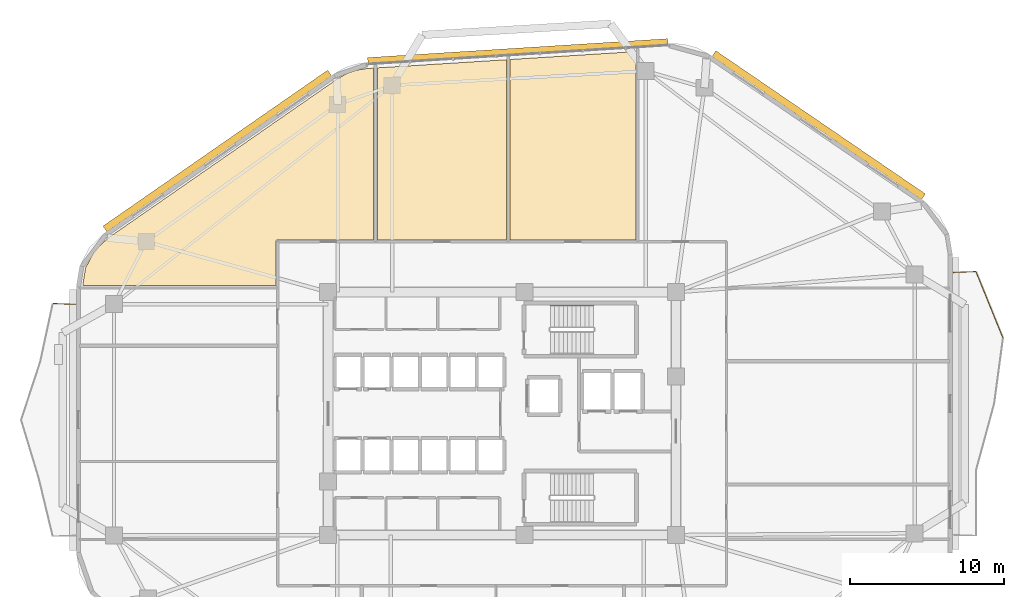
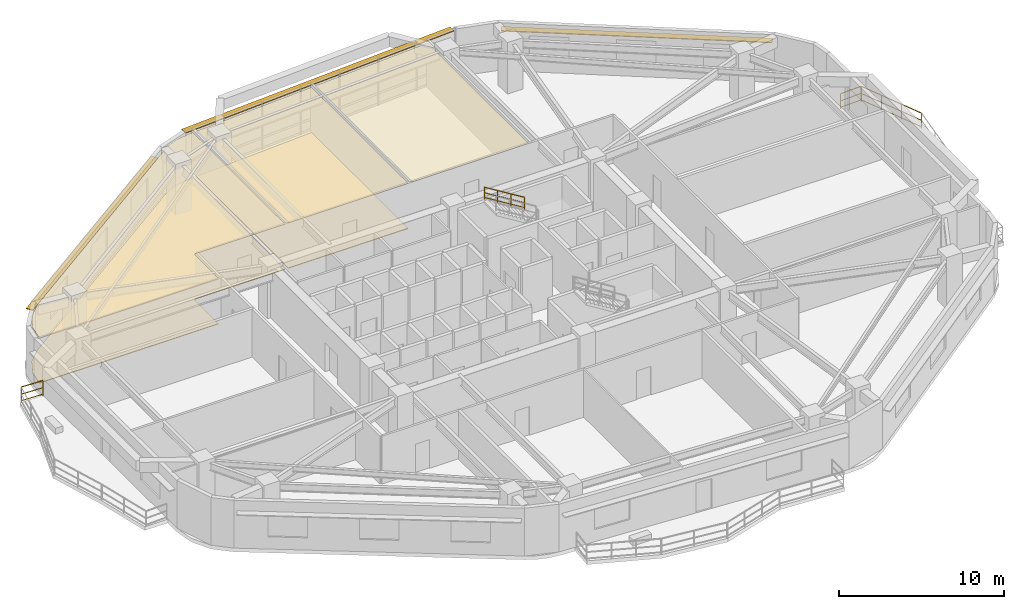
# One storey, part 13 of 13: 5 coverings, 4 railings, 3 shading devices.
"""IFC4 building model written with IfcOpenShell, lengths in metres."""

from ifc_helpers import new_model, si_unit, direction, frame, origin, origin_2d, place, context, subcontext, project, spatial, polyline, rectangle, outline, extrude, material, layer, layer_set, type_object, element, save


model = new_model("IFC4")

# Units and contexts
model_context = context("Model", 3, precision=1e-05, world=origin(), true_north=direction((0.0, 1.0)))
body_context = subcontext(model_context, "Body", "Model", "MODEL_VIEW")
ifc_project = project(units=[si_unit("LENGTHUNIT", "METRE"), si_unit("AREAUNIT", "SQUARE_METRE"), si_unit("VOLUMEUNIT", "CUBIC_METRE"), si_unit("PLANEANGLEUNIT", "RADIAN"), si_unit("MASSUNIT", "GRAM", prefix="KILO")], contexts=[model_context])

# Site, building, storey
site_placement = place(None, origin())
site = spatial("IfcSite", under=ifc_project, at=site_placement, CompositionType="ELEMENT")
building_placement = place(site_placement, origin())
building = spatial("IfcBuilding", under=site, at=building_placement, Name="Zulverin Broadcast Headquarters", CompositionType="ELEMENT")
storey_placement = place(building_placement, frame((0.0, 0.0, 101.0)))
storey = spatial("IfcBuildingStorey", under=building, at=storey_placement, Name="L25", CompositionType="ELEMENT", Elevation=101.0)

# Coverings
ifc_material_1 = material(Name="Perforated pale-metal acoustic baffle ceiling", Category="aluminium")
ifc_layer_1 = layer(ifc_material_1, 0.0400390625, Name="Perforated pale-metal acoustic baffle ceiling", Category="aluminium")
ifc_layer_set_1 = layer_set([ifc_layer_1], Name="Perforated pale-metal acoustic baffle ceiling")
covering_type_1 = type_object("IfcCoveringType", Name="COV-CEIL-ACOU", PredefinedType="CEILING", material=ifc_layer_set_1)
covering_1_placement = place(storey_placement, frame((0.0, 0.0, 3.344970703125)))
element("IfcCovering", 1, at=covering_1_placement, inside=storey, type_object=covering_type_1, Name="L25 Acoustic Baffle Ceiling 01", PredefinedType="CEILING", context=body_context, shape_type="SweptSolid", body=[
    extrude(outline(polyline([(11.4599609375, 36.583984375), (10.56005859375, 35.719970703125), (10.0, 34.639892578125), (9.81591796875, 33.5), (22.33203125, 33.5), (22.33203125, 36.35205078125), (22.33203125, 36.364013671875), (22.3359375, 36.3759765625), (22.3359375, 36.387939453125), (22.340087890625, 36.39599609375), (22.347900390625, 36.407958984375), (22.35205078125, 36.419921875), (22.360107421875, 36.427978515625), (22.367919921875, 36.43603515625), (22.3759765625, 36.444091796875), (22.384033203125, 36.451904296875), (22.39599609375, 36.4560546875), (22.407958984375, 36.464111328125), (22.416015625, 36.468017578125), (22.427978515625, 36.468017578125), (22.43994140625, 36.471923828125), (22.451904296875, 36.471923828125), (28.679931640625, 36.471923828125), (28.679931640625, 47.60009765625), (28.27587890625, 47.575927734375), (27.575927734375, 47.468017578125), (26.927978515625, 47.243896484375), (26.31591796875, 46.89599609375), (11.4599609375, 36.583984375)])), origin(), (0.0, 0.0, 1.0), 0.0400390625),
])
covering_2_placement = place(storey_placement, frame((0.0, 0.0, 3.344970703125)))
element("IfcCovering", 2, at=covering_2_placement, inside=storey, type_object=covering_type_1, Name="L25 Acoustic Baffle Ceiling 02", PredefinedType="CEILING", context=body_context, shape_type="SweptSolid", body=[
    extrude(outline(polyline([(37.280029296875, 36.471923828125), (37.280029296875, 48.14404296875), (28.919921875, 47.615966796875), (28.919921875, 36.471923828125), (37.280029296875, 36.471923828125)])), origin(), (0.0, 0.0, 1.0), 0.0400390625),
])
covering_3_placement = place(storey_placement, frame((0.0, 0.0, 3.344970703125)))
element("IfcCovering", 3, at=covering_3_placement, inside=storey, type_object=covering_type_1, Name="L25 Acoustic Baffle Ceiling 03", PredefinedType="CEILING", context=body_context, shape_type="SweptSolid", body=[
    extrude(outline(polyline([(45.679931640625, 36.471923828125), (45.679931640625, 48.672119140625), (37.52001953125, 48.159912109375), (37.52001953125, 36.471923828125), (45.679931640625, 36.471923828125)])), origin(), (0.0, 0.0, 1.0), 0.0400390625),
])
ifc_material_2 = material(Name="Anti-static broadcast raised access flooring", Category="stone")
ifc_layer_2 = layer(ifc_material_2, 0.050048828125, Name="Anti-static broadcast raised access flooring", Category="stone")
ifc_layer_set_2 = layer_set([ifc_layer_2], Name="Anti-static broadcast raised access flooring")
covering_type_2 = type_object("IfcCoveringType", Name="COV-FLR-RAISED", PredefinedType="FLOORING", material=ifc_layer_set_2)
covering_4_placement = place(storey_placement, origin())
element("IfcCovering", 4, at=covering_4_placement, inside=storey, type_object=covering_type_2, Name="L25 Broadcast Raised Access Flooring 01", PredefinedType="FLOORING", context=body_context, shape_type="SweptSolid", body=[
    extrude(outline(polyline([(11.4599609375, 36.583984375), (10.56005859375, 35.719970703125), (10.0, 34.639892578125), (9.81591796875, 33.5), (22.33203125, 33.5), (22.33203125, 36.35205078125), (22.33203125, 36.364013671875), (22.3359375, 36.3759765625), (22.3359375, 36.387939453125), (22.340087890625, 36.39599609375), (22.347900390625, 36.407958984375), (22.35205078125, 36.419921875), (22.360107421875, 36.427978515625), (22.367919921875, 36.43603515625), (22.3759765625, 36.444091796875), (22.384033203125, 36.451904296875), (22.39599609375, 36.4560546875), (22.407958984375, 36.464111328125), (22.416015625, 36.468017578125), (22.427978515625, 36.468017578125), (22.43994140625, 36.471923828125), (22.451904296875, 36.471923828125), (28.679931640625, 36.471923828125), (28.679931640625, 47.60009765625), (28.27587890625, 47.575927734375), (27.575927734375, 47.468017578125), (26.927978515625, 47.243896484375), (26.31591796875, 46.89599609375), (11.4599609375, 36.583984375)])), origin(), (0.0, 0.0, 1.0), 0.050048828125),
])
covering_5_placement = place(storey_placement, origin())
element("IfcCovering", 5, at=covering_5_placement, inside=storey, type_object=covering_type_2, Name="L25 Broadcast Raised Access Flooring 02", PredefinedType="FLOORING", context=body_context, shape_type="SweptSolid", body=[
    extrude(outline(polyline([(37.280029296875, 36.471923828125), (37.280029296875, 48.14404296875), (28.919921875, 47.615966796875), (28.919921875, 36.471923828125), (37.280029296875, 36.471923828125)])), origin(), (0.0, 0.0, 1.0), 0.050048828125),
])

# Railings
ifc_material_3 = material(Name="Brushed stainless steel & laminated glass balustrade", Category="steel")
railing_type_1 = type_object("IfcRailingType", Name="RL-GUARD-1150", PredefinedType="GUARDRAIL", material=ifc_material_3)
railing_1_placement = place(storey_placement, frame((69.45458984375, 30.1455078125, 0.0)))
element("IfcRailing", 6, at=railing_1_placement, inside=storey, type_object=railing_type_1, Name="L25 Vertical-Forest Balcony Guardrail BAL_E Segment 05", PredefinedType="GUARDRAIL", context=body_context, shape_type="SweptSolid", body=[
    extrude(rectangle(XDim=0.048095703125, YDim=0.048095703125, at=origin_2d()), frame((0.0, 0.0, 1.1259765625), z_axis=(-0.376444057869, 0.926439351115, 0.0), x_axis=(-0.926439351115, -0.376444057869, 0.0)), (0.0, 0.0, 1.0), 4.593017578125),
    extrude(rectangle(XDim=0.0419921875, YDim=0.0419921875, at=origin_2d()), frame((0.0, 0.0, 0.597900390625), z_axis=(-0.376444057869, 0.926439351115, 0.0), x_axis=(-0.926439351115, -0.376444057869, 0.0)), (0.0, 0.0, 1.0), 4.593017578125),
    extrude(rectangle(XDim=0.0419921875, YDim=0.0419921875, at=origin_2d()), frame((0.0, 0.0, 0.1201171875), z_axis=(-0.376444057869, 0.926439351115, 0.0), x_axis=(-0.926439351115, -0.376444057869, 0.0)), (0.0, 0.0, 1.0), 4.593017578125),
    extrude(rectangle(XDim=0.0419921875, YDim=0.0419921875, at=origin_2d()), origin(), (0.0, 0.0, 1.0), 1.101806640625),
    extrude(rectangle(XDim=0.0419921875, YDim=0.0419921875, at=origin_2d()), frame((-0.576416015625, 1.41845703125, 0.0)), (0.0, 0.0, 1.0), 1.101806640625),
    extrude(rectangle(XDim=0.0419921875, YDim=0.0419921875, at=origin_2d()), frame((-1.152587890625, 2.836669921875, 0.0)), (0.0, 0.0, 1.0), 1.101806640625),
    extrude(rectangle(XDim=0.0419921875, YDim=0.0419921875, at=origin_2d()), frame((-1.72900390625, 4.255126953125, 0.0)), (0.0, 0.0, 1.0), 1.101806640625),
])
railing_2_placement = place(storey_placement, frame((67.705078125, 34.413818359375, 0.0)))
element("IfcRailing", 7, at=railing_2_placement, inside=storey, type_object=railing_type_1, Name="L25 Vertical-Forest Balcony Guardrail BAL_E Segment 06", PredefinedType="GUARDRAIL", context=body_context, shape_type="SweptSolid", body=[
    extrude(rectangle(XDim=0.048095703125, YDim=0.048095703125, at=origin_2d()), frame((0.0, 0.0, 1.1259765625), z_axis=(-0.999181155166, -0.040460093435, 0.0), x_axis=(0.040460093435, -0.999181155166, 0.0)), (0.0, 0.0, 1.0), 1.46630859375),
    extrude(rectangle(XDim=0.0419921875, YDim=0.0419921875, at=origin_2d()), frame((0.0, 0.0, 0.597900390625), z_axis=(-0.999181155166, -0.040460093435, 0.0), x_axis=(0.040460093435, -0.999181155166, 0.0)), (0.0, 0.0, 1.0), 1.46630859375),
    extrude(rectangle(XDim=0.0419921875, YDim=0.0419921875, at=origin_2d()), frame((0.0, 0.0, 0.1201171875), z_axis=(-0.999181155166, -0.040460093435, 0.0), x_axis=(0.040460093435, -0.999181155166, 0.0)), (0.0, 0.0, 1.0), 1.46630859375),
    extrude(rectangle(XDim=0.0419921875, YDim=0.0419921875, at=origin_2d()), origin(), (0.0, 0.0, 1.0), 1.101806640625),
    extrude(rectangle(XDim=0.0419921875, YDim=0.0419921875, at=origin_2d()), frame((-1.465087890625, -0.059326171875, 0.0)), (0.0, 0.0, 1.0), 1.101806640625),
])
railing_3_placement = place(storey_placement, frame((9.360107421875, 32.284423828125, 0.0)))
element("IfcRailing", 8, at=railing_3_placement, inside=storey, type_object=railing_type_1, Name="L25 Vertical-Forest Balcony Guardrail BAL_W Segment 01", PredefinedType="GUARDRAIL", context=body_context, shape_type="SweptSolid", body=[
    extrude(rectangle(XDim=0.048095703125, YDim=0.048095703125, at=origin_2d()), frame((0.0, 0.0, 1.1259765625), z_axis=(-0.999181155166, 0.040460093435, 0.0), x_axis=(-0.040460093435, -0.999181155166, 0.0)), (0.0, 0.0, 1.0), 1.46630859375),
    extrude(rectangle(XDim=0.0419921875, YDim=0.0419921875, at=origin_2d()), frame((0.0, 0.0, 0.597900390625), z_axis=(-0.999181155166, 0.040460093435, 0.0), x_axis=(-0.040460093435, -0.999181155166, 0.0)), (0.0, 0.0, 1.0), 1.46630859375),
    extrude(rectangle(XDim=0.0419921875, YDim=0.0419921875, at=origin_2d()), frame((0.0, 0.0, 0.1201171875), z_axis=(-0.999181155166, 0.040460093435, 0.0), x_axis=(-0.040460093435, -0.999181155166, 0.0)), (0.0, 0.0, 1.0), 1.46630859375),
    extrude(rectangle(XDim=0.0419921875, YDim=0.0419921875, at=origin_2d()), origin(), (0.0, 0.0, 1.0), 1.101806640625),
    extrude(rectangle(XDim=0.0419921875, YDim=0.0419921875, at=origin_2d()), frame((-1.465087890625, 0.059326171875, 0.0)), (0.0, 0.0, 1.0), 1.101806640625),
])
ifc_material_4 = material(Name="Brushed stainless steel 48 mm handrail", Category="steel")
railing_type_2 = type_object("IfcRailingType", Name="RL-ST-HAND", PredefinedType="HANDRAIL", material=ifc_material_4)
railing_4_placement = place(storey_placement, frame((42.929931640625, 32.199951171875, 2.07275390625)))
element("IfcRailing", 9, at=railing_4_placement, inside=storey, type_object=railing_type_2, Name="L25 ST-1 stair handrail 2", PredefinedType="HANDRAIL", context=body_context, shape_type="SweptSolid", body=[
    extrude(rectangle(XDim=0.048095703125, YDim=0.048095703125, at=origin_2d()), frame((0.0, 0.0, 0.8759765625), z_axis=(-0.851089632645, 0.0, 0.525020415988), x_axis=(0.0, -1.0, 0.0)), (0.0, 0.0, 1.0), 3.2900390625),
    extrude(rectangle(XDim=0.0419921875, YDim=0.0419921875, at=origin_2d()), frame((0.0, 0.0, 0.468017578125), z_axis=(-0.851089632645, 0.0, 0.525020415988), x_axis=(0.0, -1.0, 0.0)), (0.0, 0.0, 1.0), 3.2900390625),
    extrude(rectangle(XDim=0.0419921875, YDim=0.0419921875, at=origin_2d()), frame((0.0, 0.0, 0.1201171875), z_axis=(-0.851089632645, 0.0, 0.525020415988), x_axis=(0.0, -1.0, 0.0)), (0.0, 0.0, 1.0), 3.2900390625),
    extrude(rectangle(XDim=0.0419921875, YDim=0.0419921875, at=origin_2d()), origin(), (0.0, 0.0, 1.0), 0.851806640625),
    extrude(rectangle(XDim=0.0419921875, YDim=0.0419921875, at=origin_2d()), frame((-0.933349609375, 0.0, 0.57568359375)), (0.0, 0.0, 1.0), 0.851806640625),
    extrude(rectangle(XDim=0.0419921875, YDim=0.0419921875, at=origin_2d()), frame((-1.86669921875, 0.0, 1.151611328125)), (0.0, 0.0, 1.0), 0.851806640625),
    extrude(rectangle(XDim=0.0419921875, YDim=0.0419921875, at=origin_2d()), frame((-2.800048828125, 0.0, 1.727294921875)), (0.0, 0.0, 1.0), 0.851806640625),
])

# Shading devices
ifc_material_5 = material(Name="Anodized pale-metal aluminium sunshade", Category="aluminium")
ifc_layer_3 = layer(ifc_material_5, 0.06005859375, Name="Anodized pale-metal aluminium sunshade", Category="aluminium")
ifc_layer_set_3 = layer_set([ifc_layer_3], Name="Anodized pale-metal aluminium sunshade")
shading_device_type = type_object("IfcShadingDeviceType", Name="SS-01_PALE_METAL_ALUMINIUM_SUNSHADE", PredefinedType="USERDEFINED", material=ifc_layer_set_3)
shading_device_1_placement = place(storey_placement, frame((57.525390625, 43.8994140625, 2.7099609375), z_axis=(0.0, 0.0, 1.0), x_axis=(-0.825756855157, 0.564026254851, 0.0)))
element("IfcShadingDevice", 10, at=shading_device_1_placement, inside=storey, type_object=shading_device_type, Name="L25 Horizontal Pale-Metal Sunshade Band 4", ObjectType="SUNSHADE", PredefinedType="USERDEFINED", context=body_context, shape_type="SweptSolid", body=[
    extrude(rectangle(XDim=16.4482421875, YDim=0.449951171875, at=origin_2d()), origin(), (0.0, 0.0, 1.0), 0.06005859375),
])
shading_device_2_placement = place(storey_placement, frame((38.022705078125, 48.671142578125, 3.294921875), z_axis=(0.0, 0.0, 1.0), x_axis=(-0.998017621976, -0.062935095345, 0.0)))
element("IfcShadingDevice", 11, at=shading_device_2_placement, inside=storey, type_object=shading_device_type, Name="L25 Pale-Metal Horizontal Sunshade Band CW-L25-E5", ObjectType="SUNSHADE", PredefinedType="USERDEFINED", context=body_context, shape_type="SweptSolid", body=[
    extrude(rectangle(XDim=19.489501953125, YDim=0.449951171875, at=origin_2d()), origin(), (0.0, 0.0, 1.0), 0.06005859375),
])
shading_device_3_placement = place(storey_placement, frame((18.539794921875, 42.22802734375, 2.7099609375), z_axis=(0.0, 0.0, 1.0), x_axis=(-0.821556397865, -0.57012725345, 0.0)))
element("IfcShadingDevice", 12, at=shading_device_3_placement, inside=storey, type_object=shading_device_type, Name="L25 Horizontal Pale-Metal Sunshade Band 6", ObjectType="SUNSHADE", PredefinedType="USERDEFINED", context=body_context, shape_type="SweptSolid", body=[
    extrude(rectangle(XDim=17.732421875, YDim=0.449951171875, at=origin_2d()), origin(), (0.0, 0.0, 1.0), 0.06005859375),
])

save(model, "model.ifc")
